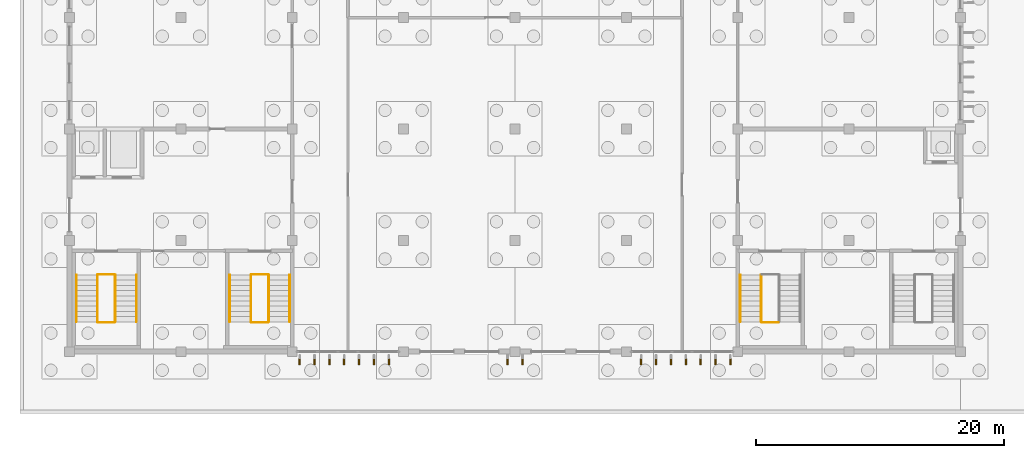
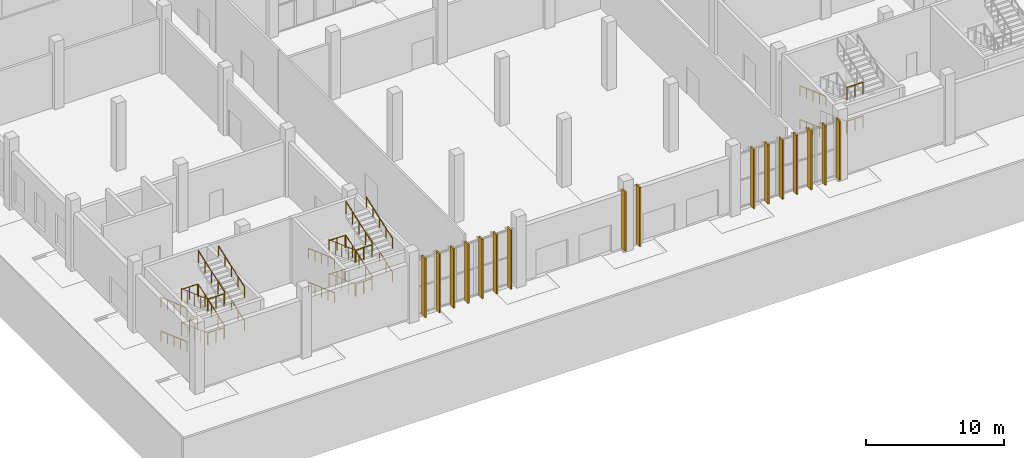
# One storey, part 137 of 198: 29 railings, 16 coverings.
"""IFC4 building model written with IfcOpenShell, lengths in metres."""

from ifc_helpers import new_model, si_unit, direction, frame, origin, origin_2d, place, context, subcontext, project, spatial, rectangle, circle, extrude, material, layer, layer_set, constituent, constituent_set, type_object, element, save


model = new_model("IFC4")

# Units and contexts
model_context = context("Model", 3, precision=1e-05, world=origin(), true_north=direction((0.0, 1.0)))
body_context = subcontext(model_context, "Body", "Model", "MODEL_VIEW")
ifc_project = project(units=[si_unit("LENGTHUNIT", "METRE"), si_unit("AREAUNIT", "SQUARE_METRE"), si_unit("VOLUMEUNIT", "CUBIC_METRE"), si_unit("PLANEANGLEUNIT", "RADIAN"), si_unit("MASSUNIT", "GRAM", prefix="KILO")], contexts=[model_context])

# Site, building, storey
site_placement = place(None, origin())
site = spatial("IfcSite", under=ifc_project, at=site_placement, CompositionType="ELEMENT")
building_placement = place(site_placement, origin())
building = spatial("IfcBuilding", under=site, at=building_placement, Name="Opaline Strait Convention Centre", CompositionType="ELEMENT")
storey_placement = place(building_placement, origin())
storey = spatial("IfcBuildingStorey", under=building, at=storey_placement, Name="L00", CompositionType="ELEMENT", Elevation=0.0)

# Railings
ifc_material_1 = material(Name="Steel Q235B", Category="steel")
ifc_constituent_1 = constituent(ifc_material_1, Name="Frame")
ifc_material_2 = material(Name="Safety glass, bonded interlayer", Category="glass")
ifc_constituent_2 = constituent(ifc_material_2, Name="Infill")
ifc_constituent_set = constituent_set(constituents=[ifc_constituent_1, ifc_constituent_2], Name="Steel Q235B, Safety glass, bonded interlayer")
railing_type_1 = type_object("IfcRailingType", Name="Stair guard 1100 Q235B and glass", PredefinedType="GUARDRAIL", material=ifc_constituent_set)
railing_1_placement = place(storey_placement, frame((11.25, 15.199951171875, 0.14990234375)))
element("IfcRailing", 1, at=railing_1_placement, inside=storey, type_object=railing_type_1, Name="L00 SWA stair guard 1", PredefinedType="GUARDRAIL", context=body_context, shape_type="SweptSolid", body=[
    extrude(circle(Radius=0.02392578125, at=origin_2d()), frame((0.0, 0.0, 1.076171875), z_axis=(0.0, -0.941735030876, 0.336355662388), x_axis=(1.0, 0.0, 0.0)), (0.0, 0.0, 1.0), 4.013916015625),
    extrude(circle(Radius=0.02099609375, at=origin_2d()), origin(), (0.0, 0.0, 1.0), 1.052001953125),
    extrude(circle(Radius=0.02099609375, at=origin_2d()), frame((0.0, -0.945068359375, 0.33740234375)), (0.0, 0.0, 1.0), 1.052001953125),
    extrude(circle(Radius=0.02099609375, at=origin_2d()), frame((0.0, -1.89013671875, 0.675048828125)), (0.0, 0.0, 1.0), 1.052001953125),
    extrude(circle(Radius=0.02099609375, at=origin_2d()), frame((0.0, -2.8349609375, 1.0126953125)), (0.0, 0.0, 1.0), 1.052001953125),
    extrude(circle(Radius=0.02099609375, at=origin_2d()), frame((0.0, -3.780029296875, 1.35009765625)), (0.0, 0.0, 1.0), 1.052001953125),
])
railing_2_placement = place(storey_placement, frame((11.300048828125, 11.3701171875, 1.5)))
element("IfcRailing", 2, at=railing_2_placement, inside=storey, type_object=railing_type_1, Name="L00 SWA stair guard 2", PredefinedType="GUARDRAIL", context=body_context, shape_type="SweptSolid", body=[
    extrude(circle(Radius=0.02392578125, at=origin_2d()), frame((0.0, 0.0, 1.076171875), z_axis=(1.0, 0.0, 0.0), x_axis=(0.0, 1.0, 0.0)), (0.0, 0.0, 1.0), 1.349853515625),
    extrude(circle(Radius=0.02099609375, at=origin_2d()), origin(), (0.0, 0.0, 1.0), 1.052001953125),
    extrude(circle(Radius=0.02099609375, at=origin_2d()), frame((0.6748046875, 0.0, 0.0)), (0.0, 0.0, 1.0), 1.052001953125),
    extrude(circle(Radius=0.02099609375, at=origin_2d()), frame((1.349853515625, 0.0, 0.0)), (0.0, 0.0, 1.0), 1.052001953125),
])
railing_3_placement = place(storey_placement, frame((12.699951171875, 11.419921875, 1.64990234375)))
element("IfcRailing", 3, at=railing_3_placement, inside=storey, type_object=railing_type_1, Name="L00 SWA stair guard 3", PredefinedType="GUARDRAIL", context=body_context, shape_type="SweptSolid", body=[
    extrude(circle(Radius=0.02392578125, at=origin_2d()), frame((0.0, 0.0, 1.076171875), z_axis=(0.0, 0.941735030876, 0.336355662388), x_axis=(-1.0, 0.0, 0.0)), (0.0, 0.0, 1.0), 4.013916015625),
    extrude(circle(Radius=0.02099609375, at=origin_2d()), origin(), (0.0, 0.0, 1.0), 1.052001953125),
    extrude(circle(Radius=0.02099609375, at=origin_2d()), frame((0.0, 0.945068359375, 0.33740234375)), (0.0, 0.0, 1.0), 1.052001953125),
    extrude(circle(Radius=0.02099609375, at=origin_2d()), frame((0.0, 1.89013671875, 0.675048828125)), (0.0, 0.0, 1.0), 1.052001953125),
    extrude(circle(Radius=0.02099609375, at=origin_2d()), frame((0.0, 2.8349609375, 1.0126953125)), (0.0, 0.0, 1.0), 1.052001953125),
    extrude(circle(Radius=0.02099609375, at=origin_2d()), frame((0.0, 3.780029296875, 1.35009765625)), (0.0, 0.0, 1.0), 1.052001953125),
])
railing_4_placement = place(storey_placement, frame((11.300048828125, 15.25, 3.0)))
element("IfcRailing", 4, at=railing_4_placement, inside=storey, type_object=railing_type_1, Name="L00 SWA stair guard 4", PredefinedType="GUARDRAIL", context=body_context, shape_type="SweptSolid", body=[
    extrude(circle(Radius=0.02392578125, at=origin_2d()), frame((0.0, 0.0, 1.076171875), z_axis=(1.0, 0.0, 0.0), x_axis=(0.0, 1.0, 0.0)), (0.0, 0.0, 1.0), 1.349853515625),
    extrude(circle(Radius=0.02099609375, at=origin_2d()), origin(), (0.0, 0.0, 1.0), 1.052001953125),
    extrude(circle(Radius=0.02099609375, at=origin_2d()), frame((0.6748046875, 0.0, 0.0)), (0.0, 0.0, 1.0), 1.052001953125),
    extrude(circle(Radius=0.02099609375, at=origin_2d()), frame((1.349853515625, 0.0, 0.0)), (0.0, 0.0, 1.0), 1.052001953125),
])
railing_5_placement = place(storey_placement, frame((11.25, 15.199951171875, 3.14990234375)))
element("IfcRailing", 5, at=railing_5_placement, inside=storey, type_object=railing_type_1, Name="L00 SWA stair guard 5", PredefinedType="GUARDRAIL", context=body_context, shape_type="SweptSolid", body=[
    extrude(circle(Radius=0.02392578125, at=origin_2d()), frame((0.0, 0.0, 1.076171875), z_axis=(0.0, -0.941735030876, 0.336355662388), x_axis=(1.0, 0.0, 0.0)), (0.0, 0.0, 1.0), 4.013916015625),
    extrude(circle(Radius=0.02099609375, at=origin_2d()), origin(), (0.0, 0.0, 1.0), 1.052001953125),
    extrude(circle(Radius=0.02099609375, at=origin_2d()), frame((0.0, -0.945068359375, 0.33740234375)), (0.0, 0.0, 1.0), 1.052001953125),
    extrude(circle(Radius=0.02099609375, at=origin_2d()), frame((0.0, -1.89013671875, 0.675048828125)), (0.0, 0.0, 1.0), 1.052001953125),
    extrude(circle(Radius=0.02099609375, at=origin_2d()), frame((0.0, -2.8349609375, 1.0126953125)), (0.0, 0.0, 1.0), 1.052001953125),
    extrude(circle(Radius=0.02099609375, at=origin_2d()), frame((0.0, -3.780029296875, 1.35009765625)), (0.0, 0.0, 1.0), 1.052001953125),
])
railing_6_placement = place(storey_placement, frame((11.300048828125, 11.3701171875, 4.5)))
element("IfcRailing", 6, at=railing_6_placement, inside=storey, type_object=railing_type_1, Name="L00 SWA stair guard 6", PredefinedType="GUARDRAIL", context=body_context, shape_type="SweptSolid", body=[
    extrude(circle(Radius=0.02392578125, at=origin_2d()), frame((0.0, 0.0, 1.076171875), z_axis=(1.0, 0.0, 0.0), x_axis=(0.0, 1.0, 0.0)), (0.0, 0.0, 1.0), 1.349853515625),
    extrude(circle(Radius=0.02099609375, at=origin_2d()), origin(), (0.0, 0.0, 1.0), 1.052001953125),
    extrude(circle(Radius=0.02099609375, at=origin_2d()), frame((0.6748046875, 0.0, 0.0)), (0.0, 0.0, 1.0), 1.052001953125),
    extrude(circle(Radius=0.02099609375, at=origin_2d()), frame((1.349853515625, 0.0, 0.0)), (0.0, 0.0, 1.0), 1.052001953125),
])
railing_7_placement = place(storey_placement, frame((12.699951171875, 11.419921875, 4.64990234375)))
element("IfcRailing", 7, at=railing_7_placement, inside=storey, type_object=railing_type_1, Name="L00 SWA stair guard 7", PredefinedType="GUARDRAIL", context=body_context, shape_type="SweptSolid", body=[
    extrude(circle(Radius=0.02392578125, at=origin_2d()), frame((0.0, 0.0, 1.076171875), z_axis=(0.0, 0.941735030876, 0.336355662388), x_axis=(-1.0, 0.0, 0.0)), (0.0, 0.0, 1.0), 4.013916015625),
    extrude(circle(Radius=0.02099609375, at=origin_2d()), origin(), (0.0, 0.0, 1.0), 1.052001953125),
    extrude(circle(Radius=0.02099609375, at=origin_2d()), frame((0.0, 0.945068359375, 0.33740234375)), (0.0, 0.0, 1.0), 1.052001953125),
    extrude(circle(Radius=0.02099609375, at=origin_2d()), frame((0.0, 1.89013671875, 0.675048828125)), (0.0, 0.0, 1.0), 1.052001953125),
    extrude(circle(Radius=0.02099609375, at=origin_2d()), frame((0.0, 2.8349609375, 1.0126953125)), (0.0, 0.0, 1.0), 1.052001953125),
    extrude(circle(Radius=0.02099609375, at=origin_2d()), frame((0.0, 3.780029296875, 1.35009765625)), (0.0, 0.0, 1.0), 1.052001953125),
])
railing_8_placement = place(storey_placement, frame((11.300048828125, 15.25, 0.0)))
element("IfcRailing", 8, at=railing_8_placement, inside=storey, type_object=railing_type_1, Name="L00 SWA stair guard 8", PredefinedType="GUARDRAIL", context=body_context, shape_type="SweptSolid", body=[
    extrude(circle(Radius=0.02392578125, at=origin_2d()), frame((0.0, 0.0, 1.076171875), z_axis=(1.0, 0.0, 0.0), x_axis=(0.0, 1.0, 0.0)), (0.0, 0.0, 1.0), 1.349853515625),
    extrude(circle(Radius=0.02099609375, at=origin_2d()), origin(), (0.0, 0.0, 1.0), 1.052001953125),
    extrude(circle(Radius=0.02099609375, at=origin_2d()), frame((0.6748046875, 0.0, 0.0)), (0.0, 0.0, 1.0), 1.052001953125),
    extrude(circle(Radius=0.02099609375, at=origin_2d()), frame((1.349853515625, 0.0, 0.0)), (0.0, 0.0, 1.0), 1.052001953125),
])
railing_9_placement = place(storey_placement, frame((23.64990234375, 15.199951171875, 0.14990234375)))
element("IfcRailing", 9, at=railing_9_placement, inside=storey, type_object=railing_type_1, Name="L00 SWB stair guard 1", PredefinedType="GUARDRAIL", context=body_context, shape_type="SweptSolid", body=[
    extrude(circle(Radius=0.02392578125, at=origin_2d()), frame((0.0, 0.0, 1.076171875), z_axis=(0.0, -0.941735030876, 0.336355662388), x_axis=(1.0, 0.0, 0.0)), (0.0, 0.0, 1.0), 4.013916015625),
    extrude(circle(Radius=0.02099609375, at=origin_2d()), origin(), (0.0, 0.0, 1.0), 1.052001953125),
    extrude(circle(Radius=0.02099609375, at=origin_2d()), frame((0.0, -0.945068359375, 0.33740234375)), (0.0, 0.0, 1.0), 1.052001953125),
    extrude(circle(Radius=0.02099609375, at=origin_2d()), frame((0.0, -1.89013671875, 0.675048828125)), (0.0, 0.0, 1.0), 1.052001953125),
    extrude(circle(Radius=0.02099609375, at=origin_2d()), frame((0.0, -2.8349609375, 1.0126953125)), (0.0, 0.0, 1.0), 1.052001953125),
    extrude(circle(Radius=0.02099609375, at=origin_2d()), frame((0.0, -3.780029296875, 1.35009765625)), (0.0, 0.0, 1.0), 1.052001953125),
])
railing_10_placement = place(storey_placement, frame((23.699951171875, 11.3701171875, 1.5)))
element("IfcRailing", 10, at=railing_10_placement, inside=storey, type_object=railing_type_1, Name="L00 SWB stair guard 2", PredefinedType="GUARDRAIL", context=body_context, shape_type="SweptSolid", body=[
    extrude(circle(Radius=0.02392578125, at=origin_2d()), frame((0.0, 0.0, 1.076171875), z_axis=(1.0, 0.0, 0.0), x_axis=(0.0, 1.0, 0.0)), (0.0, 0.0, 1.0), 1.35009765625),
    extrude(circle(Radius=0.02099609375, at=origin_2d()), origin(), (0.0, 0.0, 1.0), 1.052001953125),
    extrude(circle(Radius=0.02099609375, at=origin_2d()), frame((0.675048828125, 0.0, 0.0)), (0.0, 0.0, 1.0), 1.052001953125),
    extrude(circle(Radius=0.02099609375, at=origin_2d()), frame((1.35009765625, 0.0, 0.0)), (0.0, 0.0, 1.0), 1.052001953125),
])
railing_11_placement = place(storey_placement, frame((25.10009765625, 11.419921875, 1.64990234375)))
element("IfcRailing", 11, at=railing_11_placement, inside=storey, type_object=railing_type_1, Name="L00 SWB stair guard 3", PredefinedType="GUARDRAIL", context=body_context, shape_type="SweptSolid", body=[
    extrude(circle(Radius=0.02392578125, at=origin_2d()), frame((0.0, 0.0, 1.076171875), z_axis=(0.0, 0.941735030876, 0.336355662388), x_axis=(-1.0, 0.0, 0.0)), (0.0, 0.0, 1.0), 4.013916015625),
    extrude(circle(Radius=0.02099609375, at=origin_2d()), origin(), (0.0, 0.0, 1.0), 1.052001953125),
    extrude(circle(Radius=0.02099609375, at=origin_2d()), frame((0.0, 0.945068359375, 0.33740234375)), (0.0, 0.0, 1.0), 1.052001953125),
    extrude(circle(Radius=0.02099609375, at=origin_2d()), frame((0.0, 1.89013671875, 0.675048828125)), (0.0, 0.0, 1.0), 1.052001953125),
    extrude(circle(Radius=0.02099609375, at=origin_2d()), frame((0.0, 2.8349609375, 1.0126953125)), (0.0, 0.0, 1.0), 1.052001953125),
    extrude(circle(Radius=0.02099609375, at=origin_2d()), frame((0.0, 3.780029296875, 1.35009765625)), (0.0, 0.0, 1.0), 1.052001953125),
])
railing_12_placement = place(storey_placement, frame((23.699951171875, 15.25, 3.0)))
element("IfcRailing", 12, at=railing_12_placement, inside=storey, type_object=railing_type_1, Name="L00 SWB stair guard 4", PredefinedType="GUARDRAIL", context=body_context, shape_type="SweptSolid", body=[
    extrude(circle(Radius=0.02392578125, at=origin_2d()), frame((0.0, 0.0, 1.076171875), z_axis=(1.0, 0.0, 0.0), x_axis=(0.0, 1.0, 0.0)), (0.0, 0.0, 1.0), 1.35009765625),
    extrude(circle(Radius=0.02099609375, at=origin_2d()), origin(), (0.0, 0.0, 1.0), 1.052001953125),
    extrude(circle(Radius=0.02099609375, at=origin_2d()), frame((0.675048828125, 0.0, 0.0)), (0.0, 0.0, 1.0), 1.052001953125),
    extrude(circle(Radius=0.02099609375, at=origin_2d()), frame((1.35009765625, 0.0, 0.0)), (0.0, 0.0, 1.0), 1.052001953125),
])
railing_13_placement = place(storey_placement, frame((23.64990234375, 15.199951171875, 3.14990234375)))
element("IfcRailing", 13, at=railing_13_placement, inside=storey, type_object=railing_type_1, Name="L00 SWB stair guard 5", PredefinedType="GUARDRAIL", context=body_context, shape_type="SweptSolid", body=[
    extrude(circle(Radius=0.02392578125, at=origin_2d()), frame((0.0, 0.0, 1.076171875), z_axis=(0.0, -0.941735030876, 0.336355662388), x_axis=(1.0, 0.0, 0.0)), (0.0, 0.0, 1.0), 4.013916015625),
    extrude(circle(Radius=0.02099609375, at=origin_2d()), origin(), (0.0, 0.0, 1.0), 1.052001953125),
    extrude(circle(Radius=0.02099609375, at=origin_2d()), frame((0.0, -0.945068359375, 0.33740234375)), (0.0, 0.0, 1.0), 1.052001953125),
    extrude(circle(Radius=0.02099609375, at=origin_2d()), frame((0.0, -1.89013671875, 0.675048828125)), (0.0, 0.0, 1.0), 1.052001953125),
    extrude(circle(Radius=0.02099609375, at=origin_2d()), frame((0.0, -2.8349609375, 1.0126953125)), (0.0, 0.0, 1.0), 1.052001953125),
    extrude(circle(Radius=0.02099609375, at=origin_2d()), frame((0.0, -3.780029296875, 1.35009765625)), (0.0, 0.0, 1.0), 1.052001953125),
])
railing_14_placement = place(storey_placement, frame((23.699951171875, 11.3701171875, 4.5)))
element("IfcRailing", 14, at=railing_14_placement, inside=storey, type_object=railing_type_1, Name="L00 SWB stair guard 6", PredefinedType="GUARDRAIL", context=body_context, shape_type="SweptSolid", body=[
    extrude(circle(Radius=0.02392578125, at=origin_2d()), frame((0.0, 0.0, 1.076171875), z_axis=(1.0, 0.0, 0.0), x_axis=(0.0, 1.0, 0.0)), (0.0, 0.0, 1.0), 1.35009765625),
    extrude(circle(Radius=0.02099609375, at=origin_2d()), origin(), (0.0, 0.0, 1.0), 1.052001953125),
    extrude(circle(Radius=0.02099609375, at=origin_2d()), frame((0.675048828125, 0.0, 0.0)), (0.0, 0.0, 1.0), 1.052001953125),
    extrude(circle(Radius=0.02099609375, at=origin_2d()), frame((1.35009765625, 0.0, 0.0)), (0.0, 0.0, 1.0), 1.052001953125),
])
railing_15_placement = place(storey_placement, frame((25.10009765625, 11.419921875, 4.64990234375)))
element("IfcRailing", 15, at=railing_15_placement, inside=storey, type_object=railing_type_1, Name="L00 SWB stair guard 7", PredefinedType="GUARDRAIL", context=body_context, shape_type="SweptSolid", body=[
    extrude(circle(Radius=0.02392578125, at=origin_2d()), frame((0.0, 0.0, 1.076171875), z_axis=(0.0, 0.941735030876, 0.336355662388), x_axis=(-1.0, 0.0, 0.0)), (0.0, 0.0, 1.0), 4.013916015625),
    extrude(circle(Radius=0.02099609375, at=origin_2d()), origin(), (0.0, 0.0, 1.0), 1.052001953125),
    extrude(circle(Radius=0.02099609375, at=origin_2d()), frame((0.0, 0.945068359375, 0.33740234375)), (0.0, 0.0, 1.0), 1.052001953125),
    extrude(circle(Radius=0.02099609375, at=origin_2d()), frame((0.0, 1.89013671875, 0.675048828125)), (0.0, 0.0, 1.0), 1.052001953125),
    extrude(circle(Radius=0.02099609375, at=origin_2d()), frame((0.0, 2.8349609375, 1.0126953125)), (0.0, 0.0, 1.0), 1.052001953125),
    extrude(circle(Radius=0.02099609375, at=origin_2d()), frame((0.0, 3.780029296875, 1.35009765625)), (0.0, 0.0, 1.0), 1.052001953125),
])
railing_16_placement = place(storey_placement, frame((23.699951171875, 15.25, 0.0)))
element("IfcRailing", 16, at=railing_16_placement, inside=storey, type_object=railing_type_1, Name="L00 SWB stair guard 8", PredefinedType="GUARDRAIL", context=body_context, shape_type="SweptSolid", body=[
    extrude(circle(Radius=0.02392578125, at=origin_2d()), frame((0.0, 0.0, 1.076171875), z_axis=(1.0, 0.0, 0.0), x_axis=(0.0, 1.0, 0.0)), (0.0, 0.0, 1.0), 1.35009765625),
    extrude(circle(Radius=0.02099609375, at=origin_2d()), origin(), (0.0, 0.0, 1.0), 1.052001953125),
    extrude(circle(Radius=0.02099609375, at=origin_2d()), frame((0.675048828125, 0.0, 0.0)), (0.0, 0.0, 1.0), 1.052001953125),
    extrude(circle(Radius=0.02099609375, at=origin_2d()), frame((1.35009765625, 0.0, 0.0)), (0.0, 0.0, 1.0), 1.052001953125),
])
railing_17_placement = place(storey_placement, frame((64.89990234375, 15.199951171875, 0.14990234375)))
element("IfcRailing", 17, at=railing_17_placement, inside=storey, type_object=railing_type_1, Name="L00 SEB stair guard 1", PredefinedType="GUARDRAIL", context=body_context, shape_type="SweptSolid", body=[
    extrude(circle(Radius=0.02392578125, at=origin_2d()), frame((0.0, 0.0, 1.076171875), z_axis=(0.0, -0.941735030876, 0.336355662388), x_axis=(1.0, 0.0, 0.0)), (0.0, 0.0, 1.0), 4.013916015625),
    extrude(circle(Radius=0.02099609375, at=origin_2d()), origin(), (0.0, 0.0, 1.0), 1.052001953125),
    extrude(circle(Radius=0.02099609375, at=origin_2d()), frame((0.0, -0.945068359375, 0.33740234375)), (0.0, 0.0, 1.0), 1.052001953125),
    extrude(circle(Radius=0.02099609375, at=origin_2d()), frame((0.0, -1.89013671875, 0.675048828125)), (0.0, 0.0, 1.0), 1.052001953125),
    extrude(circle(Radius=0.02099609375, at=origin_2d()), frame((0.0, -2.8349609375, 1.0126953125)), (0.0, 0.0, 1.0), 1.052001953125),
    extrude(circle(Radius=0.02099609375, at=origin_2d()), frame((0.0, -3.780029296875, 1.35009765625)), (0.0, 0.0, 1.0), 1.052001953125),
])
for number, where, name in (
    (18, (64.949951171875, 11.3701171875, 1.5), "L00 SEB stair guard 2"),
    (19, (64.949951171875, 11.3701171875, 4.5), "L00 SEB stair guard 6"),
):
    element("IfcRailing", number, at=place(storey_placement, frame(where)), inside=storey, type_object=railing_type_1, Name=name, PredefinedType="GUARDRAIL", context=body_context, shape_type="SweptSolid", body=[
        extrude(circle(Radius=0.02392578125, at=origin_2d()), frame((0.0, 0.0, 1.076171875), z_axis=(1.0, 0.0, 0.0), x_axis=(0.0, 1.0, 0.0)), (0.0, 0.0, 1.0), 1.35009765625),
        extrude(circle(Radius=0.02099609375, at=origin_2d()), origin(), (0.0, 0.0, 1.0), 1.052001953125),
        extrude(circle(Radius=0.02099609375, at=origin_2d()), frame((0.675048828125, 0.0, 0.0)), (0.0, 0.0, 1.0), 1.052001953125),
        extrude(circle(Radius=0.02099609375, at=origin_2d()), frame((1.35009765625, 0.0, 0.0)), (0.0, 0.0, 1.0), 1.052001953125),
    ])
ifc_material_3 = material(Name="Stainless steel 304", Category="steel")
railing_type_2 = type_object("IfcRailingType", Name="Stair handrail 900 stainless 304", PredefinedType="HANDRAIL", material=ifc_material_3)
railing_18_placement = place(storey_placement, frame((9.550048828125, 15.199951171875, 0.14990234375)))
element("IfcRailing", 20, at=railing_18_placement, inside=storey, type_object=railing_type_2, Name="L00 SWA stair handrail 1", PredefinedType="HANDRAIL", context=body_context, shape_type="SweptSolid", body=[
    extrude(circle(Radius=0.02392578125, at=origin_2d()), frame((0.0, 0.0, 0.8759765625), z_axis=(0.0, -0.941735030876, 0.336355662388), x_axis=(1.0, 0.0, 0.0)), (0.0, 0.0, 1.0), 4.013916015625),
    extrude(circle(Radius=0.02099609375, at=origin_2d()), origin(), (0.0, 0.0, 1.0), 0.851806640625),
    extrude(circle(Radius=0.02099609375, at=origin_2d()), frame((0.0, -0.945068359375, 0.33740234375)), (0.0, 0.0, 1.0), 0.851806640625),
    extrude(circle(Radius=0.02099609375, at=origin_2d()), frame((0.0, -1.89013671875, 0.675048828125)), (0.0, 0.0, 1.0), 0.851806640625),
    extrude(circle(Radius=0.02099609375, at=origin_2d()), frame((0.0, -2.8349609375, 1.0126953125)), (0.0, 0.0, 1.0), 0.851806640625),
    extrude(circle(Radius=0.02099609375, at=origin_2d()), frame((0.0, -3.780029296875, 1.35009765625)), (0.0, 0.0, 1.0), 0.851806640625),
])
railing_19_placement = place(storey_placement, frame((14.39990234375, 11.419921875, 1.64990234375)))
element("IfcRailing", 21, at=railing_19_placement, inside=storey, type_object=railing_type_2, Name="L00 SWA stair handrail 2", PredefinedType="HANDRAIL", context=body_context, shape_type="SweptSolid", body=[
    extrude(circle(Radius=0.02392578125, at=origin_2d()), frame((0.0, 0.0, 0.8759765625), z_axis=(0.0, 0.941735030876, 0.336355662388), x_axis=(-1.0, 0.0, 0.0)), (0.0, 0.0, 1.0), 4.013916015625),
    extrude(circle(Radius=0.02099609375, at=origin_2d()), origin(), (0.0, 0.0, 1.0), 0.851806640625),
    extrude(circle(Radius=0.02099609375, at=origin_2d()), frame((0.0, 0.945068359375, 0.33740234375)), (0.0, 0.0, 1.0), 0.851806640625),
    extrude(circle(Radius=0.02099609375, at=origin_2d()), frame((0.0, 1.89013671875, 0.675048828125)), (0.0, 0.0, 1.0), 0.851806640625),
    extrude(circle(Radius=0.02099609375, at=origin_2d()), frame((0.0, 2.8349609375, 1.0126953125)), (0.0, 0.0, 1.0), 0.851806640625),
    extrude(circle(Radius=0.02099609375, at=origin_2d()), frame((0.0, 3.780029296875, 1.35009765625)), (0.0, 0.0, 1.0), 0.851806640625),
])
railing_20_placement = place(storey_placement, frame((9.550048828125, 15.199951171875, 3.14990234375)))
element("IfcRailing", 22, at=railing_20_placement, inside=storey, type_object=railing_type_2, Name="L00 SWA stair handrail 3", PredefinedType="HANDRAIL", context=body_context, shape_type="SweptSolid", body=[
    extrude(circle(Radius=0.02392578125, at=origin_2d()), frame((0.0, 0.0, 0.8759765625), z_axis=(0.0, -0.941735030876, 0.336355662388), x_axis=(1.0, 0.0, 0.0)), (0.0, 0.0, 1.0), 4.013916015625),
    extrude(circle(Radius=0.02099609375, at=origin_2d()), origin(), (0.0, 0.0, 1.0), 0.851806640625),
    extrude(circle(Radius=0.02099609375, at=origin_2d()), frame((0.0, -0.945068359375, 0.33740234375)), (0.0, 0.0, 1.0), 0.851806640625),
    extrude(circle(Radius=0.02099609375, at=origin_2d()), frame((0.0, -1.89013671875, 0.675048828125)), (0.0, 0.0, 1.0), 0.851806640625),
    extrude(circle(Radius=0.02099609375, at=origin_2d()), frame((0.0, -2.8349609375, 1.0126953125)), (0.0, 0.0, 1.0), 0.851806640625),
    extrude(circle(Radius=0.02099609375, at=origin_2d()), frame((0.0, -3.780029296875, 1.35009765625)), (0.0, 0.0, 1.0), 0.851806640625),
])
railing_21_placement = place(storey_placement, frame((14.39990234375, 11.419921875, 4.64990234375)))
element("IfcRailing", 23, at=railing_21_placement, inside=storey, type_object=railing_type_2, Name="L00 SWA stair handrail 4", PredefinedType="HANDRAIL", context=body_context, shape_type="SweptSolid", body=[
    extrude(circle(Radius=0.02392578125, at=origin_2d()), frame((0.0, 0.0, 0.8759765625), z_axis=(0.0, 0.941735030876, 0.336355662388), x_axis=(-1.0, 0.0, 0.0)), (0.0, 0.0, 1.0), 4.013916015625),
    extrude(circle(Radius=0.02099609375, at=origin_2d()), origin(), (0.0, 0.0, 1.0), 0.851806640625),
    extrude(circle(Radius=0.02099609375, at=origin_2d()), frame((0.0, 0.945068359375, 0.33740234375)), (0.0, 0.0, 1.0), 0.851806640625),
    extrude(circle(Radius=0.02099609375, at=origin_2d()), frame((0.0, 1.89013671875, 0.675048828125)), (0.0, 0.0, 1.0), 0.851806640625),
    extrude(circle(Radius=0.02099609375, at=origin_2d()), frame((0.0, 2.8349609375, 1.0126953125)), (0.0, 0.0, 1.0), 0.851806640625),
    extrude(circle(Radius=0.02099609375, at=origin_2d()), frame((0.0, 3.780029296875, 1.35009765625)), (0.0, 0.0, 1.0), 0.851806640625),
])
railing_22_placement = place(storey_placement, frame((21.949951171875, 15.199951171875, 0.14990234375)))
element("IfcRailing", 24, at=railing_22_placement, inside=storey, type_object=railing_type_2, Name="L00 SWB stair handrail 1", PredefinedType="HANDRAIL", context=body_context, shape_type="SweptSolid", body=[
    extrude(circle(Radius=0.02392578125, at=origin_2d()), frame((0.0, 0.0, 0.8759765625), z_axis=(0.0, -0.941735030876, 0.336355662388), x_axis=(1.0, 0.0, 0.0)), (0.0, 0.0, 1.0), 4.013916015625),
    extrude(circle(Radius=0.02099609375, at=origin_2d()), origin(), (0.0, 0.0, 1.0), 0.851806640625),
    extrude(circle(Radius=0.02099609375, at=origin_2d()), frame((0.0, -0.945068359375, 0.33740234375)), (0.0, 0.0, 1.0), 0.851806640625),
    extrude(circle(Radius=0.02099609375, at=origin_2d()), frame((0.0, -1.89013671875, 0.675048828125)), (0.0, 0.0, 1.0), 0.851806640625),
    extrude(circle(Radius=0.02099609375, at=origin_2d()), frame((0.0, -2.8349609375, 1.0126953125)), (0.0, 0.0, 1.0), 0.851806640625),
    extrude(circle(Radius=0.02099609375, at=origin_2d()), frame((0.0, -3.780029296875, 1.35009765625)), (0.0, 0.0, 1.0), 0.851806640625),
])
railing_23_placement = place(storey_placement, frame((26.800048828125, 11.419921875, 1.64990234375)))
element("IfcRailing", 25, at=railing_23_placement, inside=storey, type_object=railing_type_2, Name="L00 SWB stair handrail 2", PredefinedType="HANDRAIL", context=body_context, shape_type="SweptSolid", body=[
    extrude(circle(Radius=0.02392578125, at=origin_2d()), frame((0.0, 0.0, 0.8759765625), z_axis=(0.0, 0.941735030876, 0.336355662388), x_axis=(-1.0, 0.0, 0.0)), (0.0, 0.0, 1.0), 4.013916015625),
    extrude(circle(Radius=0.02099609375, at=origin_2d()), origin(), (0.0, 0.0, 1.0), 0.851806640625),
    extrude(circle(Radius=0.02099609375, at=origin_2d()), frame((0.0, 0.945068359375, 0.33740234375)), (0.0, 0.0, 1.0), 0.851806640625),
    extrude(circle(Radius=0.02099609375, at=origin_2d()), frame((0.0, 1.89013671875, 0.675048828125)), (0.0, 0.0, 1.0), 0.851806640625),
    extrude(circle(Radius=0.02099609375, at=origin_2d()), frame((0.0, 2.8349609375, 1.0126953125)), (0.0, 0.0, 1.0), 0.851806640625),
    extrude(circle(Radius=0.02099609375, at=origin_2d()), frame((0.0, 3.780029296875, 1.35009765625)), (0.0, 0.0, 1.0), 0.851806640625),
])
railing_24_placement = place(storey_placement, frame((21.949951171875, 15.199951171875, 3.14990234375)))
element("IfcRailing", 26, at=railing_24_placement, inside=storey, type_object=railing_type_2, Name="L00 SWB stair handrail 3", PredefinedType="HANDRAIL", context=body_context, shape_type="SweptSolid", body=[
    extrude(circle(Radius=0.02392578125, at=origin_2d()), frame((0.0, 0.0, 0.8759765625), z_axis=(0.0, -0.941735030876, 0.336355662388), x_axis=(1.0, 0.0, 0.0)), (0.0, 0.0, 1.0), 4.013916015625),
    extrude(circle(Radius=0.02099609375, at=origin_2d()), origin(), (0.0, 0.0, 1.0), 0.851806640625),
    extrude(circle(Radius=0.02099609375, at=origin_2d()), frame((0.0, -0.945068359375, 0.33740234375)), (0.0, 0.0, 1.0), 0.851806640625),
    extrude(circle(Radius=0.02099609375, at=origin_2d()), frame((0.0, -1.89013671875, 0.675048828125)), (0.0, 0.0, 1.0), 0.851806640625),
    extrude(circle(Radius=0.02099609375, at=origin_2d()), frame((0.0, -2.8349609375, 1.0126953125)), (0.0, 0.0, 1.0), 0.851806640625),
    extrude(circle(Radius=0.02099609375, at=origin_2d()), frame((0.0, -3.780029296875, 1.35009765625)), (0.0, 0.0, 1.0), 0.851806640625),
])
railing_25_placement = place(storey_placement, frame((26.800048828125, 11.419921875, 4.64990234375)))
element("IfcRailing", 27, at=railing_25_placement, inside=storey, type_object=railing_type_2, Name="L00 SWB stair handrail 4", PredefinedType="HANDRAIL", context=body_context, shape_type="SweptSolid", body=[
    extrude(circle(Radius=0.02392578125, at=origin_2d()), frame((0.0, 0.0, 0.8759765625), z_axis=(0.0, 0.941735030876, 0.336355662388), x_axis=(-1.0, 0.0, 0.0)), (0.0, 0.0, 1.0), 4.013916015625),
    extrude(circle(Radius=0.02099609375, at=origin_2d()), origin(), (0.0, 0.0, 1.0), 0.851806640625),
    extrude(circle(Radius=0.02099609375, at=origin_2d()), frame((0.0, 0.945068359375, 0.33740234375)), (0.0, 0.0, 1.0), 0.851806640625),
    extrude(circle(Radius=0.02099609375, at=origin_2d()), frame((0.0, 1.89013671875, 0.675048828125)), (0.0, 0.0, 1.0), 0.851806640625),
    extrude(circle(Radius=0.02099609375, at=origin_2d()), frame((0.0, 2.8349609375, 1.0126953125)), (0.0, 0.0, 1.0), 0.851806640625),
    extrude(circle(Radius=0.02099609375, at=origin_2d()), frame((0.0, 3.780029296875, 1.35009765625)), (0.0, 0.0, 1.0), 0.851806640625),
])
for number, where, name in (
    (28, (63.199951171875, 15.199951171875, 0.14990234375), "L00 SEB stair handrail 1"),
    (29, (63.199951171875, 15.199951171875, 3.14990234375), "L00 SEB stair handrail 3"),
):
    element("IfcRailing", number, at=place(storey_placement, frame(where)), inside=storey, type_object=railing_type_2, Name=name, PredefinedType="HANDRAIL", context=body_context, shape_type="SweptSolid", body=[
        extrude(circle(Radius=0.02392578125, at=origin_2d()), frame((0.0, 0.0, 0.8759765625), z_axis=(0.0, -0.941735030876, 0.336355662388), x_axis=(1.0, 0.0, 0.0)), (0.0, 0.0, 1.0), 4.013916015625),
        extrude(circle(Radius=0.02099609375, at=origin_2d()), origin(), (0.0, 0.0, 1.0), 0.851806640625),
        extrude(circle(Radius=0.02099609375, at=origin_2d()), frame((0.0, -0.945068359375, 0.33740234375)), (0.0, 0.0, 1.0), 0.851806640625),
        extrude(circle(Radius=0.02099609375, at=origin_2d()), frame((0.0, -1.89013671875, 0.675048828125)), (0.0, 0.0, 1.0), 0.851806640625),
        extrude(circle(Radius=0.02099609375, at=origin_2d()), frame((0.0, -2.8349609375, 1.0126953125)), (0.0, 0.0, 1.0), 0.851806640625),
        extrude(circle(Radius=0.02099609375, at=origin_2d()), frame((0.0, -3.780029296875, 1.35009765625)), (0.0, 0.0, 1.0), 0.851806640625),
    ])

# Coverings
ifc_material_4 = material(Name="Powder-coated white aluminium", Category="aluminium")
ifc_layer = layer(ifc_material_4, 0.1201171875)
ifc_layer_set = layer_set([ifc_layer], Name="Powder-coated white aluminium")
covering_type = type_object("IfcCoveringType", Name="Storm louvre fin 120x500x5250", PredefinedType="CLADDING", material=ifc_layer_set)
for number, where, z_axis, x_axis, name in (
    (30, (27.60009765625, 8.199951171875, 0.300048828125), (0.0, 0.0, 1.0), (1.0, 0.0, 0.0), "Storm louvre fin S L00"),
    (31, (28.800048828125, 8.199951171875, 0.300048828125), (0.0, 0.0, 1.0), (1.0, 0.0, 0.0), "Storm louvre fin S L00"),
    (32, (30.0, 8.199951171875, 0.300048828125), (0.0, 0.0, 1.0), (1.0, 0.0, 0.0), "Storm louvre fin S L00"),
    (33, (31.199951171875, 8.199951171875, 0.300048828125), (0.0, 0.0, 1.0), (1.0, 0.0, 0.0), "Storm louvre fin S L00"),
    (34, (32.39990234375, 8.199951171875, 0.300048828125), (0.0, 0.0, 1.0), (1.0, 0.0, 0.0), "Storm louvre fin S L00"),
    (35, (33.60009765625, 8.199951171875, 0.300048828125), (0.0, 0.0, 1.0), (1.0, 0.0, 0.0), "Storm louvre fin S L00"),
    (36, (34.800048828125, 8.199951171875, 0.300048828125), (0.0, 0.0, 1.0), (1.0, 0.0, 0.0), "Storm louvre fin S L00"),
    (37, (44.39990234375, 8.199951171875, 0.300048828125), (0.0, 0.0, 1.0), (1.0, 0.0, 0.0), "Storm louvre fin S L00"),
    (38, (45.60009765625, 8.199951171875, 0.300048828125), (0.0, 0.0, 1.0), (1.0, 0.0, 0.0), "Storm louvre fin S L00"),
    (39, (55.199951171875, 8.199951171875, 0.300048828125), (0.0, 0.0, 1.0), (1.0, 0.0, 0.0), "Storm louvre fin S L00"),
    (40, (56.39990234375, 8.199951171875, 0.300048828125), (0.0, 0.0, 1.0), (1.0, 0.0, 0.0), "Storm louvre fin S L00"),
    (41, (57.60009765625, 8.199951171875, 0.300048828125), (0.0, 0.0, 1.0), (1.0, 0.0, 0.0), "Storm louvre fin S L00"),
    (42, (58.800048828125, 8.199951171875, 0.300048828125), (0.0, 0.0, 1.0), (1.0, 0.0, 0.0), "Storm louvre fin S L00"),
    (43, (60.0, 8.199951171875, 0.300048828125), (0.0, 0.0, 1.0), (1.0, 0.0, 0.0), "Storm louvre fin S L00"),
    (44, (61.199951171875, 8.199951171875, 0.300048828125), (0.0, 0.0, 1.0), (1.0, 0.0, 0.0), "Storm louvre fin S L00"),
    (45, (62.39990234375, 8.199951171875, 0.300048828125), (0.0, 0.0, 1.0), (1.0, 0.0, 0.0), "Storm louvre fin S L00"),
):
    element("IfcCovering", number, at=place(storey_placement, frame(where, z_axis=z_axis, x_axis=x_axis)), inside=storey, type_object=covering_type, Name=name, PredefinedType="CLADDING", context=body_context, shape_type="SweptSolid", body=[
        extrude(rectangle(XDim=0.1201171875, YDim=0.5, at=origin_2d()), origin(), (0.0, 0.0, 1.0), 5.25),
    ])

save(model, "model.ifc")
